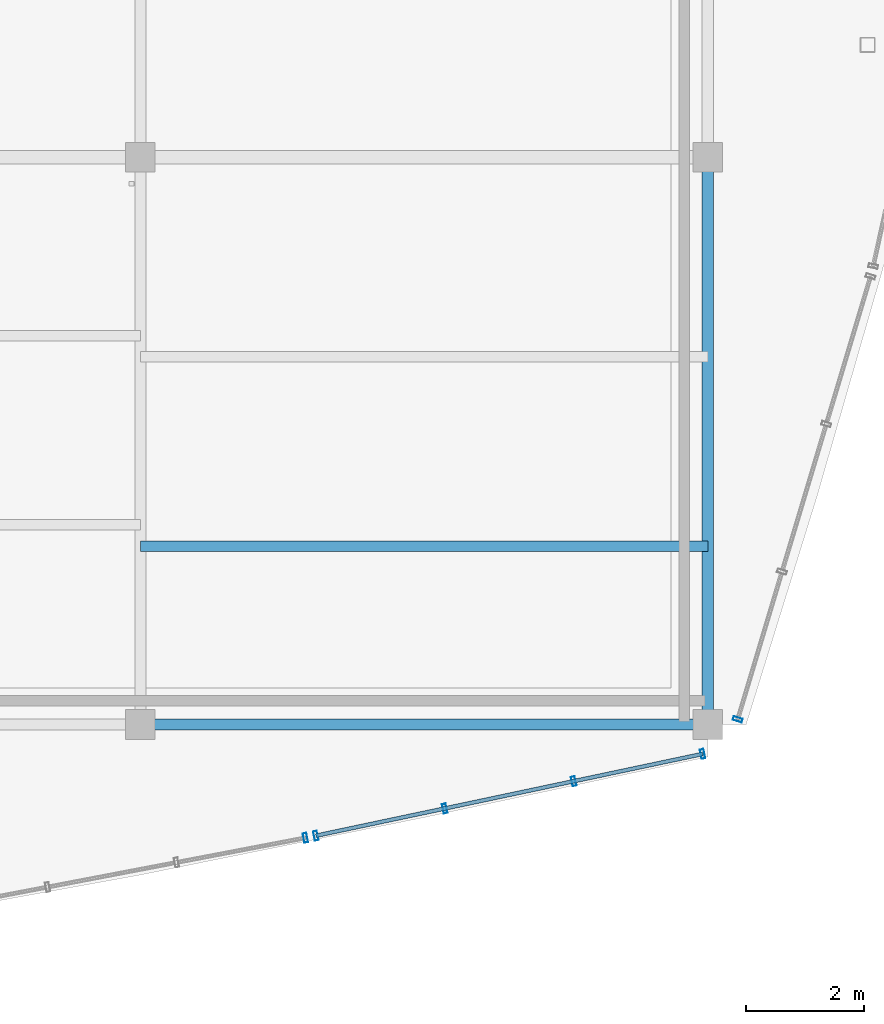
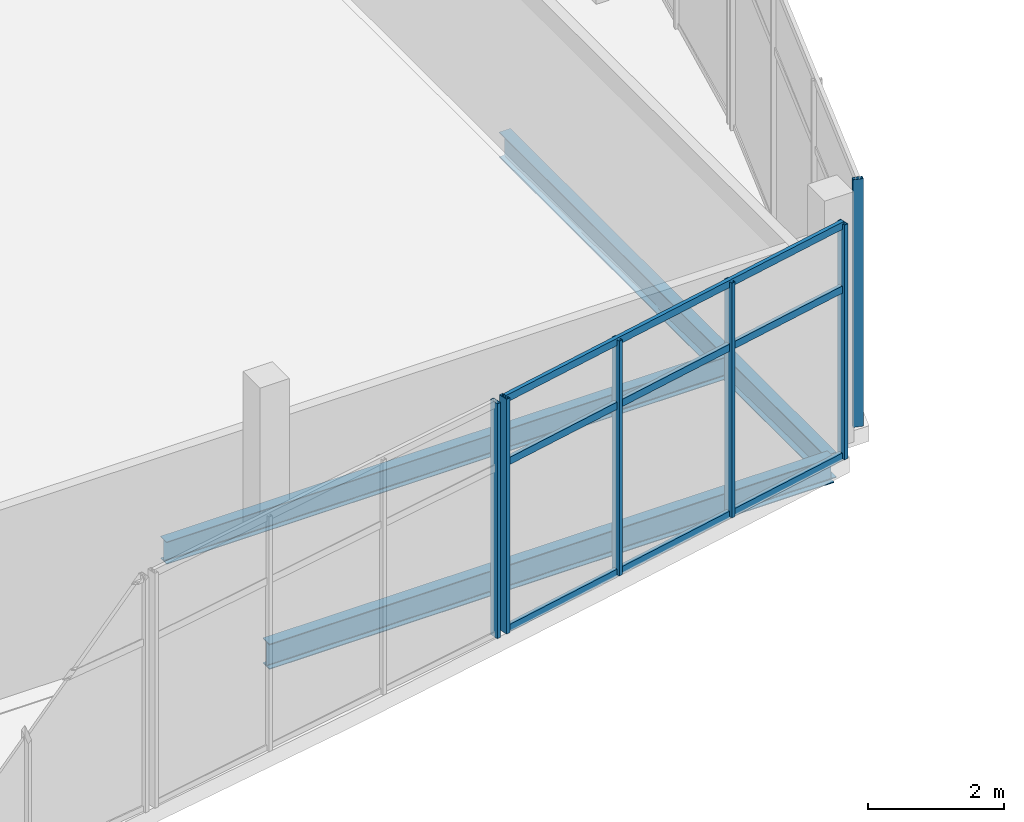
# One storey, part 60 of 114: 9 members, 3 beams, 3 elements without a shape of their own.
"""IFC4 building model written with IfcOpenShell, lengths in metres."""

from ifc_helpers import new_model, si_unit, direction, frame, origin, origin_2d, place, context, subcontext, project, spatial, hollow_rectangle, i_section, extrude, material, layer, layer_set, material_profile, profile_set, type_object, element, aggregate, save


model = new_model("IFC4")

# Units and contexts
model_context = context("Model", 3, precision=1e-05, world=origin(), true_north=direction((0.0, 1.0)))
body_context = subcontext(model_context, "Body", "Model", "MODEL_VIEW")
ifc_project = project(units=[si_unit("LENGTHUNIT", "METRE"), si_unit("AREAUNIT", "SQUARE_METRE"), si_unit("VOLUMEUNIT", "CUBIC_METRE"), si_unit("PLANEANGLEUNIT", "RADIAN"), si_unit("MASSUNIT", "GRAM", prefix="KILO")], contexts=[model_context])

# Site, building, storey
site_placement = place(None, origin())
site = spatial("IfcSite", under=ifc_project, at=site_placement, CompositionType="ELEMENT")
building_placement = place(site_placement, origin())
building = spatial("IfcBuilding", under=site, at=building_placement, Name="Chalmorin Arch Market", CompositionType="ELEMENT")
storey_placement = place(building_placement, frame((0.0, 0.0, 9.60009765625)))
storey = spatial("IfcBuildingStorey", under=building, at=storey_placement, Name="L02", CompositionType="ELEMENT", Elevation=9.60009765625)

# Curtain wall, member
ifc_material_1 = material(Name="Aluminium 6063-T6", Category="aluminium")
ifc_layer_1 = layer(ifc_material_1, 0.159912109375)
ifc_layer_set_1 = layer_set([ifc_layer_1], Name="Aluminium 6063-T6")
curtain_wall_type_1 = type_object("IfcCurtainWallType", Name="CulinaryStudioCurtainWall-CW3-6660x4220", PredefinedType="NOTDEFINED", material=ifc_layer_set_1)
curtain_wall_1_placement = place(storey_placement, origin())
curtain_wall_1 = element("IfcCurtainWall", 1, at=curtain_wall_1_placement, inside=storey, type_object=curtain_wall_type_1, Name="CW-03-175", PredefinedType="NOTDEFINED")
ifc_material_profile_1 = material_profile(ifc_material_1, hollow_rectangle(XDim=0.06494140625, YDim=0.159912109375, WallThickness=0.00390625, at=origin_2d()), Name="ALU65X160X4")
ifc_profile_set_1 = profile_set([ifc_material_profile_1], Name="Aluminium 6063-T6")
member_type_1 = type_object("IfcMemberType", Name="CurtainWallMullion-65x160", PredefinedType="MULLION", material=ifc_profile_set_1)
member_1_placement = place(storey_placement, frame((108.3916015625, 70.08203125, 0.0), z_axis=(0.0, 0.0, 1.0), x_axis=(0.981627183448, 0.190808995377, 0.0)))
member_1 = element("IfcMember", 2, at=member_1_placement, type_object=member_type_1, Name="ML-175-04", PredefinedType="MULLION", context=body_context, shape_type="SweptSolid", body=[
    extrude(hollow_rectangle(XDim=0.06494140625, YDim=0.159912109375, WallThickness=0.00390625, at=origin_2d()), origin(), (0.0, 0.0, 1.0), 4.219970703125),
])
aggregate(curtain_wall_1, [member_1])

# Curtain wall, members
ifc_layer_2 = layer(ifc_material_1, 0.159912109375)
ifc_layer_set_2 = layer_set([ifc_layer_2], Name="Aluminium 6063-T6")
curtain_wall_type_2 = type_object("IfcCurtainWallType", Name="CulinaryStudioCurtainWall-CW3-6690x4220", PredefinedType="NOTDEFINED", material=ifc_layer_set_2)
curtain_wall_2_placement = place(storey_placement, origin())
curtain_wall_2 = element("IfcCurtainWall", 3, at=curtain_wall_2_placement, inside=storey, type_object=curtain_wall_type_2, Name="CW-03-178", PredefinedType="NOTDEFINED")
member_2_placement = place(storey_placement, frame((108.568115234375, 70.11767578125, 0.0), z_axis=(0.0, 0.0, 1.0), x_axis=(0.978147600734, 0.207911690818, 0.0)))
member_2 = element("IfcMember", 4, at=member_2_placement, type_object=member_type_1, Name="ML-178-01", PredefinedType="MULLION", context=body_context, shape_type="SweptSolid", body=[
    extrude(hollow_rectangle(XDim=0.06494140625, YDim=0.159912109375, WallThickness=0.00390625, at=origin_2d()), origin(), (0.0, 0.0, 1.0), 4.219970703125),
])
member_3_placement = place(storey_placement, frame((110.74951171875, 70.578857421875, 0.0), z_axis=(0.0, 0.0, 1.0), x_axis=(0.978147600734, 0.207911690818, 0.0)))
member_3 = element("IfcMember", 5, at=member_3_placement, type_object=member_type_1, Name="ML-178-02", PredefinedType="MULLION", context=body_context, shape_type="SweptSolid", body=[
    extrude(hollow_rectangle(XDim=0.06494140625, YDim=0.159912109375, WallThickness=0.00390625, at=origin_2d()), origin(), (0.0, 0.0, 1.0), 4.219970703125),
])
member_4_placement = place(storey_placement, frame((112.9306640625, 71.0400390625, 0.0), z_axis=(0.0, 0.0, 1.0), x_axis=(0.978147600734, 0.207911690818, 0.0)))
member_4 = element("IfcMember", 6, at=member_4_placement, type_object=member_type_1, Name="ML-178-03", PredefinedType="MULLION", context=body_context, shape_type="SweptSolid", body=[
    extrude(hollow_rectangle(XDim=0.06494140625, YDim=0.159912109375, WallThickness=0.00390625, at=origin_2d()), origin(), (0.0, 0.0, 1.0), 4.219970703125),
])
member_5_placement = place(storey_placement, frame((115.11181640625, 71.50146484375, 0.0), z_axis=(0.0, 0.0, 1.0), x_axis=(0.978147600734, 0.207911690818, 0.0)))
member_5 = element("IfcMember", 7, at=member_5_placement, type_object=member_type_1, Name="ML-178-04", PredefinedType="MULLION", context=body_context, shape_type="SweptSolid", body=[
    extrude(hollow_rectangle(XDim=0.06494140625, YDim=0.159912109375, WallThickness=0.00390625, at=origin_2d()), origin(), (0.0, 0.0, 1.0), 4.219970703125),
])

# Curtain wall, member
ifc_layer_3 = layer(ifc_material_1, 0.159912109375)
ifc_layer_set_3 = layer_set([ifc_layer_3], Name="Aluminium 6063-T6")
curtain_wall_type_3 = type_object("IfcCurtainWallType", Name="CulinaryStudioCurtainWall-CW3-7820x4450", PredefinedType="NOTDEFINED", material=ifc_layer_set_3)
curtain_wall_3_placement = place(storey_placement, origin())
curtain_wall_3 = element("IfcCurtainWall", 8, at=curtain_wall_3_placement, inside=storey, type_object=curtain_wall_type_3, Name="CW-03-180", PredefinedType="NOTDEFINED")
member_6_placement = place(storey_placement, frame((115.705810546875, 72.086181640625, 0.0), z_axis=(0.0, 0.0, 1.0), x_axis=(0.292371704723, 0.956304755963, 0.0)))
member_6 = element("IfcMember", 9, at=member_6_placement, type_object=member_type_1, Name="ML-180-01", PredefinedType="MULLION", context=body_context, shape_type="SweptSolid", body=[
    extrude(hollow_rectangle(XDim=0.06494140625, YDim=0.159912109375, WallThickness=0.00390625, at=origin_2d()), origin(), (0.0, 0.0, 1.0), 4.449951171875),
])
aggregate(curtain_wall_3, [member_6])

# Member
ifc_material_profile_2 = material_profile(ifc_material_1, hollow_rectangle(XDim=0.06494140625, YDim=0.1298828125, WallThickness=0.00390625, at=origin_2d()), Name="ALU65X130X4")
ifc_profile_set_2 = profile_set([ifc_material_profile_2], Name="Aluminium 6063-T6")
member_type_2 = type_object("IfcMemberType", Name="CurtainWallTransom-65x130", PredefinedType="USERDEFINED", material=ifc_profile_set_2)
member_7_placement = place(storey_placement, frame((108.568115234375, 70.11767578125, 0.034912109375), z_axis=(0.978363487727, 0.206893416723, 0.0), x_axis=(-0.206893416723, 0.978363487727, 0.0)))
member_7 = element("IfcMember", 10, at=member_7_placement, type_object=member_type_2, Name="TR-178-01", ObjectType="TRANSOM", PredefinedType="USERDEFINED", context=body_context, shape_type="SweptSolid", body=[
    extrude(hollow_rectangle(XDim=0.06494140625, YDim=0.1298828125, WallThickness=0.00390625, at=origin_2d()), origin(), (0.0, 0.0, 1.0), 6.6884765625),
])

member_8_placement = place(storey_placement, frame((108.568115234375, 70.11767578125, 3.038330078125), z_axis=(0.978363487727, 0.206893416723, 0.0), x_axis=(-0.206893416723, 0.978363487727, 0.0)))
member_8 = element("IfcMember", 11, at=member_8_placement, type_object=member_type_2, Name="TR-178-02", ObjectType="TRANSOM", PredefinedType="USERDEFINED", context=body_context, shape_type="SweptSolid", body=[
    extrude(hollow_rectangle(XDim=0.06494140625, YDim=0.1298828125, WallThickness=0.00390625, at=origin_2d()), origin(), (0.0, 0.0, 1.0), 6.6884765625),
])

member_9_placement = place(storey_placement, frame((108.568115234375, 70.11767578125, 4.184814453125), z_axis=(0.978363487727, 0.206893416723, 0.0), x_axis=(-0.206893416723, 0.978363487727, 0.0)))
member_9 = element("IfcMember", 12, at=member_9_placement, type_object=member_type_2, Name="TR-178-03", ObjectType="TRANSOM", PredefinedType="USERDEFINED", context=body_context, shape_type="SweptSolid", body=[
    extrude(hollow_rectangle(XDim=0.06494140625, YDim=0.1298828125, WallThickness=0.00390625, at=origin_2d()), origin(), (0.0, 0.0, 1.0), 6.6884765625),
])

aggregate(curtain_wall_2, [member_2, member_3, member_4, member_5, member_7, member_8, member_9])

# Beams
ifc_material_2 = material(Name="Steel A992 Grade 50", Category="steel")
ifc_material_profile_3 = material_profile(ifc_material_2, i_section(OverallWidth=0.19091796875, OverallDepth=0.45703125, WebThickness=0.009033203125, FlangeThickness=0.014404296875, FilletRadius=0.02001953125, at=origin_2d()), Name="W18X50")
ifc_profile_set_3 = profile_set([ifc_material_profile_3], Name="Steel A992 Grade 50")
beam_type_1 = type_object("IfcBeamType", Name="PerimeterSpandrelBeam-W18X50", PredefinedType="SPANDREL", material=ifc_profile_set_3)
beam_1_placement = place(storey_placement, frame((105.60009765625, 72.0, -0.510498046875), z_axis=(1.0, 0.0, 0.0), x_axis=(0.0, 1.0, 0.0)))
element("IfcBeam", 13, at=beam_1_placement, inside=storey, type_object=beam_type_1, Name="SP-W18-1290", PredefinedType="SPANDREL", context=body_context, shape_type="SweptSolid", body=[
    extrude(i_section(OverallWidth=0.19091796875, OverallDepth=0.45703125, WebThickness=0.009033203125, FlangeThickness=0.014404296875, FilletRadius=0.02001953125, at=origin_2d()), origin(), (0.0, 0.0, 1.0), 9.599853515625),
])
beam_2_placement = place(storey_placement, frame((115.199951171875, 72.0, -0.510498046875), z_axis=(0.0, 1.0, 0.0), x_axis=(-1.0, 0.0, 0.0)))
element("IfcBeam", 14, at=beam_2_placement, inside=storey, type_object=beam_type_1, Name="SP-W18-1292", PredefinedType="SPANDREL", context=body_context, shape_type="SweptSolid", body=[
    extrude(i_section(OverallWidth=0.19091796875, OverallDepth=0.45703125, WebThickness=0.009033203125, FlangeThickness=0.014404296875, FilletRadius=0.02001953125, at=origin_2d()), origin(), (0.0, 0.0, 1.0), 9.60009765625),
])
ifc_material_profile_4 = material_profile(ifc_material_2, i_section(OverallWidth=0.177978515625, OverallDepth=0.403076171875, WebThickness=0.007568359375, FlangeThickness=0.010986328125, FilletRadius=0.01806640625, at=origin_2d()), Name="W16X36")
ifc_profile_set_4 = profile_set([ifc_material_profile_4], Name="Steel A992 Grade 50")
beam_type_2 = type_object("IfcBeamType", Name="SecondaryFloorJoist-W16X36", PredefinedType="JOIST", material=ifc_profile_set_4)
beam_3_placement = place(storey_placement, frame((105.60009765625, 75.02001953125, -0.483642578125), z_axis=(1.0, 0.0, 0.0), x_axis=(0.0, 1.0, 0.0)))
element("IfcBeam", 15, at=beam_3_placement, inside=storey, type_object=beam_type_2, Name="BJ-W16B-1353", PredefinedType="JOIST", context=body_context, shape_type="SweptSolid", body=[
    extrude(i_section(OverallWidth=0.177978515625, OverallDepth=0.403076171875, WebThickness=0.007568359375, FlangeThickness=0.010986328125, FilletRadius=0.01806640625, at=origin_2d()), origin(), (0.0, 0.0, 1.0), 9.599853515625),
])

save(model, "model.ifc")
